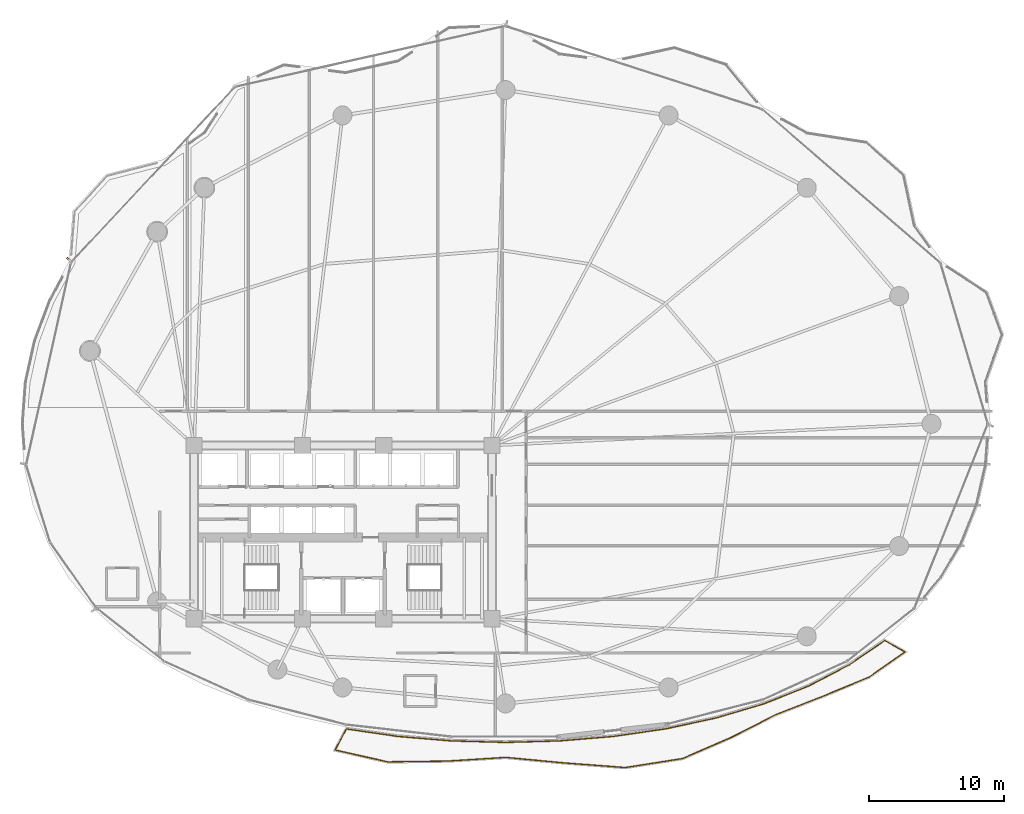
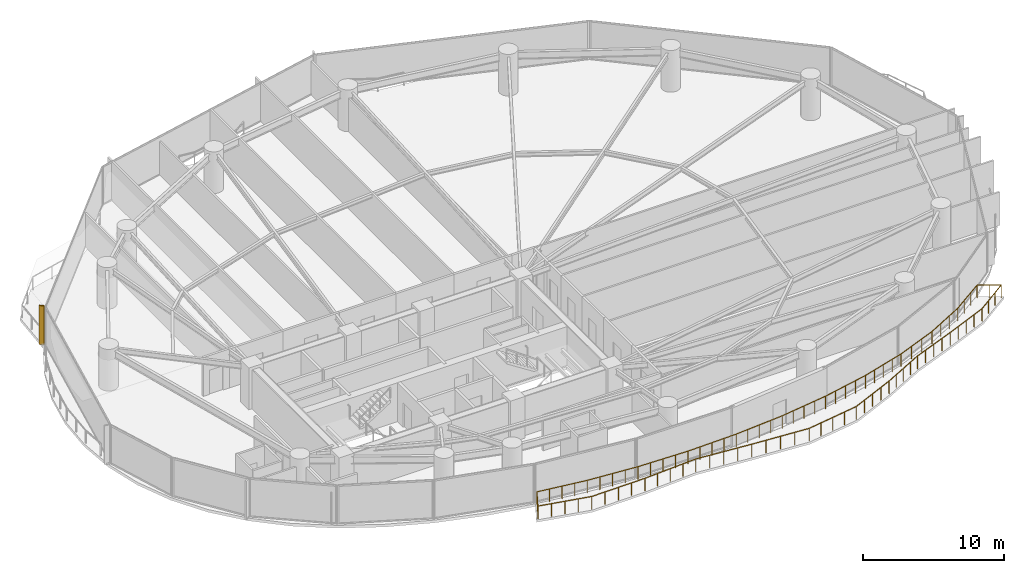
# One storey, part 31 of 33: 1 railing, 1 shading device.
"""IFC4 building model written with IfcOpenShell, lengths in metres."""

import ifcopenshell
import ifcopenshell.guid

model = None  # the IFC model being written
_history = None  # IfcOwnerHistory: only IFC2X3 demands one
_inside = {}  # id of a spatial element -> (the spatial element, [elements in it])
_under = {}  # id of a project, library or spatial element -> (it, [spatial elements below it])
_declared = {}  # id of a project -> (the project, [libraries it declares])
_typed = {}  # id of a type object -> (the type object, [elements of that type])
_made_of = {}  # id of a material, layer set ... -> (it, [elements and type objects made of it])


def new_model(schema):
    """Start an empty IFC model of exactly this schema.

    Asked for "IFC4X3", IfcOpenShell would pick the latest addendum, in which some entities
    have other attributes; the version numbers below select the first issue.
    IFC2X3 requires an IfcOwnerHistory on every rooted entity: one is made here for all.
    """
    global model, _history
    if schema == "IFC4X3":
        model = ifcopenshell.file(schema_version=(4, 3, 0, 0))
    else:
        model = ifcopenshell.file(schema=schema)
    _inside.clear()
    _under.clear()
    _declared.clear()
    _typed.clear()
    _made_of.clear()
    _history = None
    if model.schema == "IFC2X3":
        org = make("IfcOrganization", Name="unknown")
        user = make(
            "IfcPersonAndOrganization",
            ThePerson=make("IfcPerson", FamilyName="unknown"),
            TheOrganization=org,
        )
        app = make(
            "IfcApplication",
            ApplicationDeveloper=org,
            Version="unknown",
            ApplicationFullName="unknown",
            ApplicationIdentifier="unknown",
        )
        _history = make(
            "IfcOwnerHistory",
            OwningUser=user,
            OwningApplication=app,
            ChangeAction="ADDED",
            CreationDate=0,
        )
    return model


def make(cls, **values):
    """One entity of the class cls with the attributes given. An attribute that is None is left unset."""
    return model.create_entity(
        cls, **{name: value for name, value in values.items() if value is not None}
    )


def rooted(cls, **values):
    """An entity with a GlobalId (a new one), such as an element, a storey or a relation."""
    return make(cls, GlobalId=ifcopenshell.guid.new(), OwnerHistory=_history, **values)


def si_unit(unit_type, name, prefix=None):
    """IfcSIUnit, for example si_unit("LENGTHUNIT", "METRE", prefix="MILLI")."""
    return make("IfcSIUnit", UnitType=unit_type, Prefix=prefix, Name=name)


def assignment(units):
    """IfcUnitAssignment: the units of a project."""
    return None if units is None else make("IfcUnitAssignment", Units=units)


def point(xyz):
    """IfcCartesianPoint."""
    return None if xyz is None else make("IfcCartesianPoint", Coordinates=xyz)


def direction(xyz):
    """IfcDirection."""
    return None if xyz is None else make("IfcDirection", DirectionRatios=xyz)


def frame(location, z_axis=None, x_axis=None):
    """IfcAxis2Placement3D, a coordinate frame: its origin and axes. An axis left out is left unset."""
    return make(
        "IfcAxis2Placement3D",
        Location=point(location),
        Axis=direction(z_axis),
        RefDirection=direction(x_axis),
    )


def frame_2d(location, x_axis=None):
    """IfcAxis2Placement2D, a coordinate frame in the plane: its origin and x axis."""
    return make(
        "IfcAxis2Placement2D", Location=point(location), RefDirection=direction(x_axis)
    )


def origin():
    """The frame at (0, 0, 0) with its axes left unset."""
    return frame((0.0, 0.0, 0.0))


def origin_2d():
    """The frame at (0, 0) in the plane with its x axis left unset."""
    return frame_2d((0.0, 0.0))


def place(relative_to, where):
    """IfcLocalPlacement: puts the frame where relative to a parent placement (None: the world)."""
    return make(
        "IfcLocalPlacement", PlacementRelTo=relative_to, RelativePlacement=where
    )


def context(
    kind, dimensions, precision=None, world=None, true_north=None, identifier=None
):
    """IfcGeometricRepresentationContext, for example the 3D "Model" context."""
    return make(
        "IfcGeometricRepresentationContext",
        ContextIdentifier=identifier,
        ContextType=kind,
        CoordinateSpaceDimension=dimensions,
        Precision=precision,
        WorldCoordinateSystem=world,
        TrueNorth=true_north,
    )


def subcontext(parent, identifier, kind, view, scale=None):
    """IfcGeometricRepresentationSubContext, for example "Body" below "Model"."""
    return make(
        "IfcGeometricRepresentationSubContext",
        ContextIdentifier=identifier,
        ContextType=kind,
        ParentContext=parent,
        TargetScale=scale,
        TargetView=view,
    )


def project(units=None, contexts=None):
    """IfcProject with its units and contexts."""
    return rooted(
        "IfcProject",
        Name="project",
        RepresentationContexts=contexts,
        UnitsInContext=assignment(units),
    )


def spatial(cls, under=None, at=None, **own):
    """A site, building, storey or space (cls), placed at a placement, below another one or the project."""
    s = rooted(cls, ObjectPlacement=at, **own)
    if under is not None:
        _under.setdefault(under.id(), (under, []))[1].append(s)
    return s


def profile(cls, at=None, kind="AREA", **sizes):
    """A parametric profile (cls). Its sizes go by their IFC names, for example OverallWidth=200.0."""
    return make(cls, ProfileType=kind, Position=at, **sizes)


def rectangle(**sizes):
    """IfcRectangleProfileDef."""
    return profile("IfcRectangleProfileDef", **sizes)


def extrude(swept, where, along, depth):
    """IfcExtrudedAreaSolid: the profile swept, set in the frame where, extruded along a direction by depth."""
    return make(
        "IfcExtrudedAreaSolid",
        SweptArea=swept,
        Position=where,
        ExtrudedDirection=direction(along),
        Depth=depth,
    )


def shape(context_of_items, identifier, shape_type, items):
    """IfcShapeRepresentation: the items that make up one representation, for example the "Body"."""
    return make(
        "IfcShapeRepresentation",
        ContextOfItems=context_of_items,
        RepresentationIdentifier=identifier,
        RepresentationType=shape_type,
        Items=items,
    )


def material(Name=None, Category=None):
    """IfcMaterial."""
    return make("IfcMaterial", Name=Name, Category=Category)


def made_of(thing, what):
    """Note that an element or type object is made of a material, layer set ...; save() writes the relation."""
    if what is not None:
        _made_of.setdefault(what.id(), (what, []))[1].append(thing)
    return thing


def type_object(cls, material=None, **own):
    """A type object (cls), such as IfcWallType, which elements share."""
    return made_of(rooted(cls, **own), material)


def element(
    cls,
    number,
    at=None,
    inside=None,
    cuts=None,
    type_object=None,
    material=None,
    context=None,
    identifier="Body",
    shape_type=None,
    held_by="IfcProductDefinitionShape",
    body=None,
    shapes=None,
    **own,
):
    """One element of the class cls, such as IfcWall. Its Tag is "e" and its number.

    at: its placement. inside: the storey or other place that contains it. cuts: it is an
    opening in that element (IfcRelVoidsElement). A single representation is given by context,
    identifier, shape_type and body (its items); several are given by shapes. held_by: the class
    of the entity that holds the representations. save() writes the other relations.
    """
    e = rooted(cls, Tag="e%d" % number, ObjectPlacement=at, **own)
    if body is not None:
        shapes = [shape(context, identifier, shape_type, body)]
    if shapes is not None:
        e.Representation = make(held_by, Representations=shapes)
    if inside is not None:
        _inside.setdefault(inside.id(), (inside, []))[1].append(e)
    if cuts is not None:
        rooted(
            "IfcRelVoidsElement", RelatingBuildingElement=cuts, RelatedOpeningElement=e
        )
    if type_object is not None:
        _typed.setdefault(type_object.id(), (type_object, []))[1].append(e)
    return made_of(e, material)


def aggregate(whole, parts):
    """IfcRelAggregates: a whole, such as a stair, and the parts it consists of."""
    return rooted("IfcRelAggregates", RelatingObject=whole, RelatedObjects=parts)


def save(model, path):
    """Write the relations noted so far, then the file.

    IfcRelAggregates (storeys below a building ...), IfcRelContainedInSpatialStructure (elements
    in a storey), IfcRelDefinesByType, IfcRelAssociatesMaterial and IfcRelDeclares: one each for
    every whole, place, type object, material and project.
    """
    for whole, parts in _under.values():
        aggregate(whole, parts)
    for where, things in _inside.values():
        rooted(
            "IfcRelContainedInSpatialStructure",
            RelatedElements=things,
            RelatingStructure=where,
        )
    for kind, things in _typed.values():
        rooted("IfcRelDefinesByType", RelatedObjects=things, RelatingType=kind)
    for what, things in _made_of.values():
        rooted("IfcRelAssociatesMaterial", RelatedObjects=things, RelatingMaterial=what)
    for by, libraries in _declared.values():
        rooted("IfcRelDeclares", RelatingContext=by, RelatedDefinitions=libraries)
    model.write(path)


model = new_model("IFC4")

# Units and contexts
model_context = context("Model", 3, precision=1e-05, world=origin(), true_north=direction((0.0, 1.0)))
body_context = subcontext(model_context, "Body", "Model", "MODEL_VIEW")
ifc_project = project(units=[si_unit("LENGTHUNIT", "METRE"), si_unit("AREAUNIT", "SQUARE_METRE"), si_unit("VOLUMEUNIT", "CUBIC_METRE"), si_unit("PLANEANGLEUNIT", "RADIAN"), si_unit("MASSUNIT", "GRAM", prefix="KILO")], contexts=[model_context])

# Site, building, storey
site_placement = place(None, origin())
site = spatial("IfcSite", under=ifc_project, at=site_placement, CompositionType="ELEMENT")
building_placement = place(site_placement, origin())
building = spatial("IfcBuilding", under=site, at=building_placement, Name="Kazevale Care Tower and Concert Hall", CompositionType="ELEMENT")
storey_placement = place(building_placement, frame((0.0, 0.0, 45.60009765625)))
storey = spatial("IfcBuildingStorey", under=building, at=storey_placement, Name="L11", CompositionType="ELEMENT", Elevation=45.60009765625)

# Railing
ifc_material_1 = material(Name="Anodised Bronze Aluminium and Laminated Glass", Category="aluminium")
railing_type = type_object("IfcRailingType", Name="Balcony and Terrace Balustrade 1120", PredefinedType="BALUSTRADE", material=ifc_material_1)
railing_placement = place(storey_placement, frame((33.239990234375, 15.469970703125, 0.0)))
element("IfcRailing", 1, at=railing_placement, inside=storey, type_object=railing_type, Name="rail:L11:balcony", PredefinedType="BALUSTRADE", context=body_context, shape_type="SweptSolid", body=[
    extrude(rectangle(XDim=0.048095703125, YDim=0.048095703125, at=origin_2d()), frame((0.0, 0.0, 1.09619140625), z_axis=(0.98954153526, -0.144248223541, 0.0), x_axis=(0.144248223541, 0.98954153526, 0.0)), (0.0, 0.0, 1.0), 3.820068359375),
    extrude(rectangle(XDim=0.048095703125, YDim=0.048095703125, at=origin_2d()), frame((3.780029296875, -0.551025390625, 1.09619140625), z_axis=(0.996491809711, -0.083690341016, 0.0), x_axis=(0.083690341016, 0.996491809711, 0.0)), (0.0, 0.0, 1.0), 3.97900390625),
    extrude(rectangle(XDim=0.048095703125, YDim=0.048095703125, at=origin_2d()), frame((7.7451171875, -0.884033203125, 1.09619140625), z_axis=(0.999619139625, -0.027596660954, 0.0), x_axis=(0.027596660954, 0.999619139625, 0.0)), (0.0, 0.0, 1.0), 4.016357421875),
    extrude(rectangle(XDim=0.048095703125, YDim=0.048095703125, at=origin_2d()), frame((11.760009765625, -0.994873046875, 1.09619140625), z_axis=(0.999619139625, 0.027596660954, 0.0), x_axis=(-0.027596660954, 0.999619139625, 0.0)), (0.0, 0.0, 1.0), 4.016357421875),
    extrude(rectangle(XDim=0.048095703125, YDim=0.048095703125, at=origin_2d()), frame((15.77490234375, -0.884033203125, 1.09619140625), z_axis=(0.996491809711, 0.083690341016, 0.0), x_axis=(-0.083690341016, 0.996491809711, 0.0)), (0.0, 0.0, 1.0), 3.97900390625),
    extrude(rectangle(XDim=0.048095703125, YDim=0.048095703125, at=origin_2d()), frame((19.739990234375, -0.551025390625, 1.09619140625), z_axis=(0.989562148583, 0.144106745477, 0.0), x_axis=(-0.144106745477, 0.989562148583, 0.0)), (0.0, 0.0, 1.0), 3.90673828125),
    extrude(rectangle(XDim=0.048095703125, YDim=0.048095703125, at=origin_2d()), frame((23.60595703125, 0.011962890625, 1.09619140625), z_axis=(0.977622623243, 0.210366362622, 0.0), x_axis=(-0.210366362622, 0.977622623243, 0.0)), (0.0, 0.0, 1.0), 3.80322265625),
    extrude(rectangle(XDim=0.048095703125, YDim=0.048095703125, at=origin_2d()), frame((27.323974609375, 0.81201171875, 1.09619140625), z_axis=(0.958576059845, 0.28483668565, 0.0), x_axis=(-0.28483668565, 0.958576059845, 0.0)), (0.0, 0.0, 1.0), 3.67626953125),
    extrude(rectangle(XDim=0.048095703125, YDim=0.048095703125, at=origin_2d()), frame((30.847900390625, 1.859130859375, 1.09619140625), z_axis=(0.929364745906, 0.369162794803, 0.0), x_axis=(-0.369162794803, 0.929364745906, 0.0)), (0.0, 0.0, 1.0), 3.534912109375),
    extrude(rectangle(XDim=0.048095703125, YDim=0.048095703125, at=origin_2d()), frame((34.133056640625, 3.1640625, 1.09619140625), z_axis=(0.886249621896, 0.463207952965, 0.0), x_axis=(-0.463207952965, 0.886249621896, 0.0)), (0.0, 0.0, 1.0), 3.3916015625),
    extrude(rectangle(XDim=0.048095703125, YDim=0.048095703125, at=origin_2d()), frame((37.138916015625, 4.735107421875, 1.09619140625), z_axis=(0.825224295989, 0.564805153402, 0.0), x_axis=(-0.564805153402, 0.825224295989, 0.0)), (0.0, 0.0, 1.0), 3.17626953125),
    extrude(rectangle(XDim=0.048095703125, YDim=0.048095703125, at=origin_2d()), frame((39.760009765625, 6.529052734375, 1.09619140625), z_axis=(0.870244176212, -0.492620618498, 0.0), x_axis=(0.492620618498, 0.870244176212, 0.0)), (0.0, 0.0, 1.0), 1.71337890625),
    extrude(rectangle(XDim=0.048095703125, YDim=0.048095703125, at=origin_2d()), frame((41.2509765625, 5.68505859375, 1.09619140625), z_axis=(-0.818630379614, -0.574320730579, 0.0), x_axis=(0.574320730579, -0.818630379614, 0.0)), (0.0, 0.0, 1.0), 3.224853515625),
    extrude(rectangle(XDim=0.048095703125, YDim=0.048095703125, at=origin_2d()), frame((38.611083984375, 3.8330078125, 1.09619140625), z_axis=(-0.923484195548, -0.383636469295, 0.0), x_axis=(0.383636469295, -0.923484195548, 0.0)), (0.0, 0.0, 1.0), 3.7197265625),
    extrude(rectangle(XDim=0.048095703125, YDim=0.048095703125, at=origin_2d()), frame((35.176025390625, 2.406005859375, 1.09619140625), z_axis=(-0.931446214817, -0.363879030591, 0.0), x_axis=(0.363879030591, -0.931446214817, 0.0)), (0.0, 0.0, 1.0), 3.715576171875),
    extrude(rectangle(XDim=0.048095703125, YDim=0.048095703125, at=origin_2d()), frame((31.715087890625, 1.053955078125, 1.09619140625), z_axis=(-0.891046076552, -0.453912865495, 0.0), x_axis=(0.453912865495, -0.891046076552, 0.0)), (0.0, 0.0, 1.0), 3.68115234375),
    extrude(rectangle(XDim=0.048095703125, YDim=0.048095703125, at=origin_2d()), frame((28.43505859375, -0.616943359375, 1.09619140625), z_axis=(-0.916855361127, -0.399219547082, 0.0), x_axis=(0.399219547082, -0.916855361127, 0.0)), (0.0, 0.0, 1.0), 3.925537109375),
    extrude(rectangle(XDim=0.048095703125, YDim=0.048095703125, at=origin_2d()), frame((24.8359375, -2.18408203125, 1.09619140625), z_axis=(-0.987765738022, -0.155945012073, 0.0), x_axis=(0.155945012073, -0.987765738022, 0.0)), (0.0, 0.0, 1.0), 4.283447265625),
    extrude(rectangle(XDim=0.048095703125, YDim=0.048095703125, at=origin_2d()), frame((20.60498046875, -2.85205078125, 1.09619140625), z_axis=(-0.997146264085, 0.075493893937, 0.0), x_axis=(-0.075493893937, -0.997146264085, 0.0)), (0.0, 0.0, 1.0), 4.517822265625),
    extrude(rectangle(XDim=0.048095703125, YDim=0.048095703125, at=origin_2d()), frame((16.10009765625, -2.510986328125, 1.09619140625), z_axis=(-0.995607335755, 0.093627095393, 0.0), x_axis=(-0.093627095393, -0.995607335755, 0.0)), (0.0, 0.0, 1.0), 4.357177734375),
    extrude(rectangle(XDim=0.048095703125, YDim=0.048095703125, at=origin_2d()), frame((11.761962890625, -2.10302734375, 1.09619140625), z_axis=(-0.998017692243, -0.062933981046, 0.0), x_axis=(0.062933981046, -0.998017692243, 0.0)), (0.0, 0.0, 1.0), 4.321533203125),
    extrude(rectangle(XDim=0.048095703125, YDim=0.048095703125, at=origin_2d()), frame((7.448974609375, -2.375, 1.09619140625), z_axis=(-0.999912788981, -0.013206605606, 0.0), x_axis=(0.013206605606, -0.999912788981, 0.0)), (0.0, 0.0, 1.0), 4.38134765625),
    extrude(rectangle(XDim=0.048095703125, YDim=0.048095703125, at=origin_2d()), frame((3.068115234375, -2.432861328125, 1.09619140625), z_axis=(-0.975624833425, 0.21944517403, 0.0), x_axis=(-0.21944517403, -0.975624833425, 0.0)), (0.0, 0.0, 1.0), 3.9873046875),
    extrude(rectangle(XDim=0.048095703125, YDim=0.048095703125, at=origin_2d()), frame((-0.822021484375, -1.557861328125, 1.09619140625), z_axis=(0.466677312572, 0.884427660089, 0.0), x_axis=(-0.884427660089, 0.466677312572, 0.0)), (0.0, 0.0, 1.0), 1.761474609375),
    extrude(rectangle(XDim=0.0419921875, YDim=0.0419921875, at=origin_2d()), origin(), (0.0, 0.0, 1.0), 1.072021484375),
    extrude(rectangle(XDim=0.0419921875, YDim=0.0419921875, at=origin_2d()), frame((0.945068359375, -0.1376953125, 0.0)), (0.0, 0.0, 1.0), 1.072021484375),
    extrude(rectangle(XDim=0.0419921875, YDim=0.0419921875, at=origin_2d()), frame((1.89013671875, -0.275390625, 0.0)), (0.0, 0.0, 1.0), 1.072021484375),
    extrude(rectangle(XDim=0.0419921875, YDim=0.0419921875, at=origin_2d()), frame((2.8349609375, -0.413330078125, 0.0)), (0.0, 0.0, 1.0), 1.072021484375),
    extrude(rectangle(XDim=0.0419921875, YDim=0.0419921875, at=origin_2d()), frame((3.780029296875, -0.551025390625, 0.0)), (0.0, 0.0, 1.0), 1.072021484375),
    extrude(rectangle(XDim=0.0419921875, YDim=0.0419921875, at=origin_2d()), frame((4.771240234375, -0.63427734375, 0.0)), (0.0, 0.0, 1.0), 1.072021484375),
    extrude(rectangle(XDim=0.0419921875, YDim=0.0419921875, at=origin_2d()), frame((5.7626953125, -0.717529296875, 0.0)), (0.0, 0.0, 1.0), 1.072021484375),
    extrude(rectangle(XDim=0.0419921875, YDim=0.0419921875, at=origin_2d()), frame((6.75390625, -0.80078125, 0.0)), (0.0, 0.0, 1.0), 1.072021484375),
    extrude(rectangle(XDim=0.0419921875, YDim=0.0419921875, at=origin_2d()), frame((7.7451171875, -0.884033203125, 0.0)), (0.0, 0.0, 1.0), 1.072021484375),
    extrude(rectangle(XDim=0.0419921875, YDim=0.0419921875, at=origin_2d()), frame((8.748779296875, -0.91162109375, 0.0)), (0.0, 0.0, 1.0), 1.072021484375),
    extrude(rectangle(XDim=0.0419921875, YDim=0.0419921875, at=origin_2d()), frame((9.75244140625, -0.939453125, 0.0)), (0.0, 0.0, 1.0), 1.072021484375),
    extrude(rectangle(XDim=0.0419921875, YDim=0.0419921875, at=origin_2d()), frame((10.75634765625, -0.96728515625, 0.0)), (0.0, 0.0, 1.0), 1.072021484375),
    extrude(rectangle(XDim=0.0419921875, YDim=0.0419921875, at=origin_2d()), frame((11.760009765625, -0.994873046875, 0.0)), (0.0, 0.0, 1.0), 1.072021484375),
    extrude(rectangle(XDim=0.0419921875, YDim=0.0419921875, at=origin_2d()), frame((12.763671875, -0.96728515625, 0.0)), (0.0, 0.0, 1.0), 1.072021484375),
    extrude(rectangle(XDim=0.0419921875, YDim=0.0419921875, at=origin_2d()), frame((13.767578125, -0.939453125, 0.0)), (0.0, 0.0, 1.0), 1.072021484375),
    extrude(rectangle(XDim=0.0419921875, YDim=0.0419921875, at=origin_2d()), frame((14.771240234375, -0.91162109375, 0.0)), (0.0, 0.0, 1.0), 1.072021484375),
    extrude(rectangle(XDim=0.0419921875, YDim=0.0419921875, at=origin_2d()), frame((15.77490234375, -0.884033203125, 0.0)), (0.0, 0.0, 1.0), 1.072021484375),
    extrude(rectangle(XDim=0.0419921875, YDim=0.0419921875, at=origin_2d()), frame((16.76611328125, -0.80078125, 0.0)), (0.0, 0.0, 1.0), 1.072021484375),
    extrude(rectangle(XDim=0.0419921875, YDim=0.0419921875, at=origin_2d()), frame((17.75732421875, -0.717529296875, 0.0)), (0.0, 0.0, 1.0), 1.072021484375),
    extrude(rectangle(XDim=0.0419921875, YDim=0.0419921875, at=origin_2d()), frame((18.748779296875, -0.63427734375, 0.0)), (0.0, 0.0, 1.0), 1.072021484375),
    extrude(rectangle(XDim=0.0419921875, YDim=0.0419921875, at=origin_2d()), frame((19.739990234375, -0.551025390625, 0.0)), (0.0, 0.0, 1.0), 1.072021484375),
    extrude(rectangle(XDim=0.0419921875, YDim=0.0419921875, at=origin_2d()), frame((20.70654296875, -0.41015625, 0.0)), (0.0, 0.0, 1.0), 1.072021484375),
    extrude(rectangle(XDim=0.0419921875, YDim=0.0419921875, at=origin_2d()), frame((21.6728515625, -0.26953125, 0.0)), (0.0, 0.0, 1.0), 1.072021484375),
    extrude(rectangle(XDim=0.0419921875, YDim=0.0419921875, at=origin_2d()), frame((22.639404296875, -0.12890625, 0.0)), (0.0, 0.0, 1.0), 1.072021484375),
    extrude(rectangle(XDim=0.0419921875, YDim=0.0419921875, at=origin_2d()), frame((23.60595703125, 0.011962890625, 0.0)), (0.0, 0.0, 1.0), 1.072021484375),
    extrude(rectangle(XDim=0.0419921875, YDim=0.0419921875, at=origin_2d()), frame((24.535400390625, 0.2119140625, 0.0)), (0.0, 0.0, 1.0), 1.072021484375),
    extrude(rectangle(XDim=0.0419921875, YDim=0.0419921875, at=origin_2d()), frame((25.46484375, 0.412109375, 0.0)), (0.0, 0.0, 1.0), 1.072021484375),
    extrude(rectangle(XDim=0.0419921875, YDim=0.0419921875, at=origin_2d()), frame((26.39453125, 0.612060546875, 0.0)), (0.0, 0.0, 1.0), 1.072021484375),
    extrude(rectangle(XDim=0.0419921875, YDim=0.0419921875, at=origin_2d()), frame((27.323974609375, 0.81201171875, 0.0)), (0.0, 0.0, 1.0), 1.072021484375),
    extrude(rectangle(XDim=0.0419921875, YDim=0.0419921875, at=origin_2d()), frame((28.205078125, 1.07373046875, 0.0)), (0.0, 0.0, 1.0), 1.072021484375),
    extrude(rectangle(XDim=0.0419921875, YDim=0.0419921875, at=origin_2d()), frame((29.0859375, 1.33544921875, 0.0)), (0.0, 0.0, 1.0), 1.072021484375),
    extrude(rectangle(XDim=0.0419921875, YDim=0.0419921875, at=origin_2d()), frame((29.966796875, 1.597412109375, 0.0)), (0.0, 0.0, 1.0), 1.072021484375),
    extrude(rectangle(XDim=0.0419921875, YDim=0.0419921875, at=origin_2d()), frame((30.847900390625, 1.859130859375, 0.0)), (0.0, 0.0, 1.0), 1.072021484375),
    extrude(rectangle(XDim=0.0419921875, YDim=0.0419921875, at=origin_2d()), frame((31.94287109375, 2.294189453125, 0.0)), (0.0, 0.0, 1.0), 1.072021484375),
    extrude(rectangle(XDim=0.0419921875, YDim=0.0419921875, at=origin_2d()), frame((33.0380859375, 2.72900390625, 0.0)), (0.0, 0.0, 1.0), 1.072021484375),
    extrude(rectangle(XDim=0.0419921875, YDim=0.0419921875, at=origin_2d()), frame((34.133056640625, 3.1640625, 0.0)), (0.0, 0.0, 1.0), 1.072021484375),
    extrude(rectangle(XDim=0.0419921875, YDim=0.0419921875, at=origin_2d()), frame((35.135009765625, 3.687744140625, 0.0)), (0.0, 0.0, 1.0), 1.072021484375),
    extrude(rectangle(XDim=0.0419921875, YDim=0.0419921875, at=origin_2d()), frame((36.136962890625, 4.21142578125, 0.0)), (0.0, 0.0, 1.0), 1.072021484375),
    extrude(rectangle(XDim=0.0419921875, YDim=0.0419921875, at=origin_2d()), frame((37.138916015625, 4.735107421875, 0.0)), (0.0, 0.0, 1.0), 1.072021484375),
    extrude(rectangle(XDim=0.0419921875, YDim=0.0419921875, at=origin_2d()), frame((38.0126953125, 5.3330078125, 0.0)), (0.0, 0.0, 1.0), 1.072021484375),
    extrude(rectangle(XDim=0.0419921875, YDim=0.0419921875, at=origin_2d()), frame((38.88623046875, 5.93115234375, 0.0)), (0.0, 0.0, 1.0), 1.072021484375),
    extrude(rectangle(XDim=0.0419921875, YDim=0.0419921875, at=origin_2d()), frame((39.760009765625, 6.529052734375, 0.0)), (0.0, 0.0, 1.0), 1.072021484375),
    extrude(rectangle(XDim=0.0419921875, YDim=0.0419921875, at=origin_2d()), frame((40.50537109375, 6.10693359375, 0.0)), (0.0, 0.0, 1.0), 1.072021484375),
    extrude(rectangle(XDim=0.0419921875, YDim=0.0419921875, at=origin_2d()), frame((41.2509765625, 5.68505859375, 0.0)), (0.0, 0.0, 1.0), 1.072021484375),
    extrude(rectangle(XDim=0.0419921875, YDim=0.0419921875, at=origin_2d()), frame((40.37109375, 5.067626953125, 0.0)), (0.0, 0.0, 1.0), 1.072021484375),
    extrude(rectangle(XDim=0.0419921875, YDim=0.0419921875, at=origin_2d()), frame((39.490966796875, 4.450439453125, 0.0)), (0.0, 0.0, 1.0), 1.072021484375),
    extrude(rectangle(XDim=0.0419921875, YDim=0.0419921875, at=origin_2d()), frame((38.611083984375, 3.8330078125, 0.0)), (0.0, 0.0, 1.0), 1.072021484375),
    extrude(rectangle(XDim=0.0419921875, YDim=0.0419921875, at=origin_2d()), frame((37.75244140625, 3.476318359375, 0.0)), (0.0, 0.0, 1.0), 1.072021484375),
    extrude(rectangle(XDim=0.0419921875, YDim=0.0419921875, at=origin_2d()), frame((36.8935546875, 3.11962890625, 0.0)), (0.0, 0.0, 1.0), 1.072021484375),
    extrude(rectangle(XDim=0.0419921875, YDim=0.0419921875, at=origin_2d()), frame((36.03466796875, 2.7626953125, 0.0)), (0.0, 0.0, 1.0), 1.072021484375),
    extrude(rectangle(XDim=0.0419921875, YDim=0.0419921875, at=origin_2d()), frame((35.176025390625, 2.406005859375, 0.0)), (0.0, 0.0, 1.0), 1.072021484375),
    extrude(rectangle(XDim=0.0419921875, YDim=0.0419921875, at=origin_2d()), frame((34.310791015625, 2.06787109375, 0.0)), (0.0, 0.0, 1.0), 1.072021484375),
    extrude(rectangle(XDim=0.0419921875, YDim=0.0419921875, at=origin_2d()), frame((33.445556640625, 1.72998046875, 0.0)), (0.0, 0.0, 1.0), 1.072021484375),
    extrude(rectangle(XDim=0.0419921875, YDim=0.0419921875, at=origin_2d()), frame((32.580322265625, 1.39208984375, 0.0)), (0.0, 0.0, 1.0), 1.072021484375),
    extrude(rectangle(XDim=0.0419921875, YDim=0.0419921875, at=origin_2d()), frame((31.715087890625, 1.053955078125, 0.0)), (0.0, 0.0, 1.0), 1.072021484375),
    extrude(rectangle(XDim=0.0419921875, YDim=0.0419921875, at=origin_2d()), frame((30.89501953125, 0.63623046875, 0.0)), (0.0, 0.0, 1.0), 1.072021484375),
    extrude(rectangle(XDim=0.0419921875, YDim=0.0419921875, at=origin_2d()), frame((30.0751953125, 0.218505859375, 0.0)), (0.0, 0.0, 1.0), 1.072021484375),
    extrude(rectangle(XDim=0.0419921875, YDim=0.0419921875, at=origin_2d()), frame((29.255126953125, -0.19921875, 0.0)), (0.0, 0.0, 1.0), 1.072021484375),
    extrude(rectangle(XDim=0.0419921875, YDim=0.0419921875, at=origin_2d()), frame((28.43505859375, -0.616943359375, 0.0)), (0.0, 0.0, 1.0), 1.072021484375),
    extrude(rectangle(XDim=0.0419921875, YDim=0.0419921875, at=origin_2d()), frame((27.53515625, -1.0087890625, 0.0)), (0.0, 0.0, 1.0), 1.072021484375),
    extrude(rectangle(XDim=0.0419921875, YDim=0.0419921875, at=origin_2d()), frame((26.635498046875, -1.400390625, 0.0)), (0.0, 0.0, 1.0), 1.072021484375),
    extrude(rectangle(XDim=0.0419921875, YDim=0.0419921875, at=origin_2d()), frame((25.73583984375, -1.792236328125, 0.0)), (0.0, 0.0, 1.0), 1.072021484375),
    extrude(rectangle(XDim=0.0419921875, YDim=0.0419921875, at=origin_2d()), frame((24.8359375, -2.18408203125, 0.0)), (0.0, 0.0, 1.0), 1.072021484375),
    extrude(rectangle(XDim=0.0419921875, YDim=0.0419921875, at=origin_2d()), frame((23.7783203125, -2.35107421875, 0.0)), (0.0, 0.0, 1.0), 1.072021484375),
    extrude(rectangle(XDim=0.0419921875, YDim=0.0419921875, at=origin_2d()), frame((22.720458984375, -2.51806640625, 0.0)), (0.0, 0.0, 1.0), 1.072021484375),
    extrude(rectangle(XDim=0.0419921875, YDim=0.0419921875, at=origin_2d()), frame((21.66259765625, -2.68505859375, 0.0)), (0.0, 0.0, 1.0), 1.072021484375),
    extrude(rectangle(XDim=0.0419921875, YDim=0.0419921875, at=origin_2d()), frame((20.60498046875, -2.85205078125, 0.0)), (0.0, 0.0, 1.0), 1.072021484375),
    extrude(rectangle(XDim=0.0419921875, YDim=0.0419921875, at=origin_2d()), frame((19.478759765625, -2.766845703125, 0.0)), (0.0, 0.0, 1.0), 1.072021484375),
    extrude(rectangle(XDim=0.0419921875, YDim=0.0419921875, at=origin_2d()), frame((18.3525390625, -2.681640625, 0.0)), (0.0, 0.0, 1.0), 1.072021484375),
    extrude(rectangle(XDim=0.0419921875, YDim=0.0419921875, at=origin_2d()), frame((17.226318359375, -2.59619140625, 0.0)), (0.0, 0.0, 1.0), 1.072021484375),
    extrude(rectangle(XDim=0.0419921875, YDim=0.0419921875, at=origin_2d()), frame((16.10009765625, -2.510986328125, 0.0)), (0.0, 0.0, 1.0), 1.072021484375),
    extrude(rectangle(XDim=0.0419921875, YDim=0.0419921875, at=origin_2d()), frame((15.015625, -2.408935546875, 0.0)), (0.0, 0.0, 1.0), 1.072021484375),
    extrude(rectangle(XDim=0.0419921875, YDim=0.0419921875, at=origin_2d()), frame((13.93115234375, -2.30712890625, 0.0)), (0.0, 0.0, 1.0), 1.072021484375),
    extrude(rectangle(XDim=0.0419921875, YDim=0.0419921875, at=origin_2d()), frame((12.846435546875, -2.205078125, 0.0)), (0.0, 0.0, 1.0), 1.072021484375),
    extrude(rectangle(XDim=0.0419921875, YDim=0.0419921875, at=origin_2d()), frame((11.761962890625, -2.10302734375, 0.0)), (0.0, 0.0, 1.0), 1.072021484375),
    extrude(rectangle(XDim=0.0419921875, YDim=0.0419921875, at=origin_2d()), frame((10.68359375, -2.1708984375, 0.0)), (0.0, 0.0, 1.0), 1.072021484375),
    extrude(rectangle(XDim=0.0419921875, YDim=0.0419921875, at=origin_2d()), frame((9.60546875, -2.239013671875, 0.0)), (0.0, 0.0, 1.0), 1.072021484375),
    extrude(rectangle(XDim=0.0419921875, YDim=0.0419921875, at=origin_2d()), frame((8.52734375, -2.30712890625, 0.0)), (0.0, 0.0, 1.0), 1.072021484375),
    extrude(rectangle(XDim=0.0419921875, YDim=0.0419921875, at=origin_2d()), frame((7.448974609375, -2.375, 0.0)), (0.0, 0.0, 1.0), 1.072021484375),
    extrude(rectangle(XDim=0.0419921875, YDim=0.0419921875, at=origin_2d()), frame((6.353759765625, -2.389404296875, 0.0)), (0.0, 0.0, 1.0), 1.072021484375),
    extrude(rectangle(XDim=0.0419921875, YDim=0.0419921875, at=origin_2d()), frame((5.258544921875, -2.40380859375, 0.0)), (0.0, 0.0, 1.0), 1.072021484375),
    extrude(rectangle(XDim=0.0419921875, YDim=0.0419921875, at=origin_2d()), frame((4.163330078125, -2.41845703125, 0.0)), (0.0, 0.0, 1.0), 1.072021484375),
    extrude(rectangle(XDim=0.0419921875, YDim=0.0419921875, at=origin_2d()), frame((3.068115234375, -2.432861328125, 0.0)), (0.0, 0.0, 1.0), 1.072021484375),
    extrude(rectangle(XDim=0.0419921875, YDim=0.0419921875, at=origin_2d()), frame((2.095703125, -2.214111328125, 0.0)), (0.0, 0.0, 1.0), 1.072021484375),
    extrude(rectangle(XDim=0.0419921875, YDim=0.0419921875, at=origin_2d()), frame((1.123046875, -1.995361328125, 0.0)), (0.0, 0.0, 1.0), 1.072021484375),
    extrude(rectangle(XDim=0.0419921875, YDim=0.0419921875, at=origin_2d()), frame((0.150390625, -1.776611328125, 0.0)), (0.0, 0.0, 1.0), 1.072021484375),
    extrude(rectangle(XDim=0.0419921875, YDim=0.0419921875, at=origin_2d()), frame((-0.822021484375, -1.557861328125, 0.0)), (0.0, 0.0, 1.0), 1.072021484375),
    extrude(rectangle(XDim=0.0419921875, YDim=0.0419921875, at=origin_2d()), frame((-0.4111328125, -0.77880859375, 0.0)), (0.0, 0.0, 1.0), 1.072021484375),
])

# Shading device
ifc_material_2 = material(Name="Honed Ochre Limestone", Category="masonry")
shading_device_type = type_object("IfcShadingDeviceType", Name="Vertical Honed Limestone Fin FIN-01", PredefinedType="USERDEFINED", material=ifc_material_2)
shading_device_placement = place(storey_placement, frame((12.747802734375, 50.140625, 0.0), z_axis=(0.0, 0.0, 1.0), x_axis=(-0.730400739673, 0.683018857343, 0.0)))
element("IfcShadingDevice", 2, at=shading_device_placement, inside=storey, type_object=shading_device_type, Name="cw:L11:f14:fin", ObjectType="FIN", PredefinedType="USERDEFINED", context=body_context, shape_type="SweptSolid", body=[
    extrude(rectangle(XDim=0.3798828125, YDim=0.1201171875, at=origin_2d()), origin(), (0.0, 0.0, 1.0), 3.360107421875),
])

save(model, "model.ifc")
